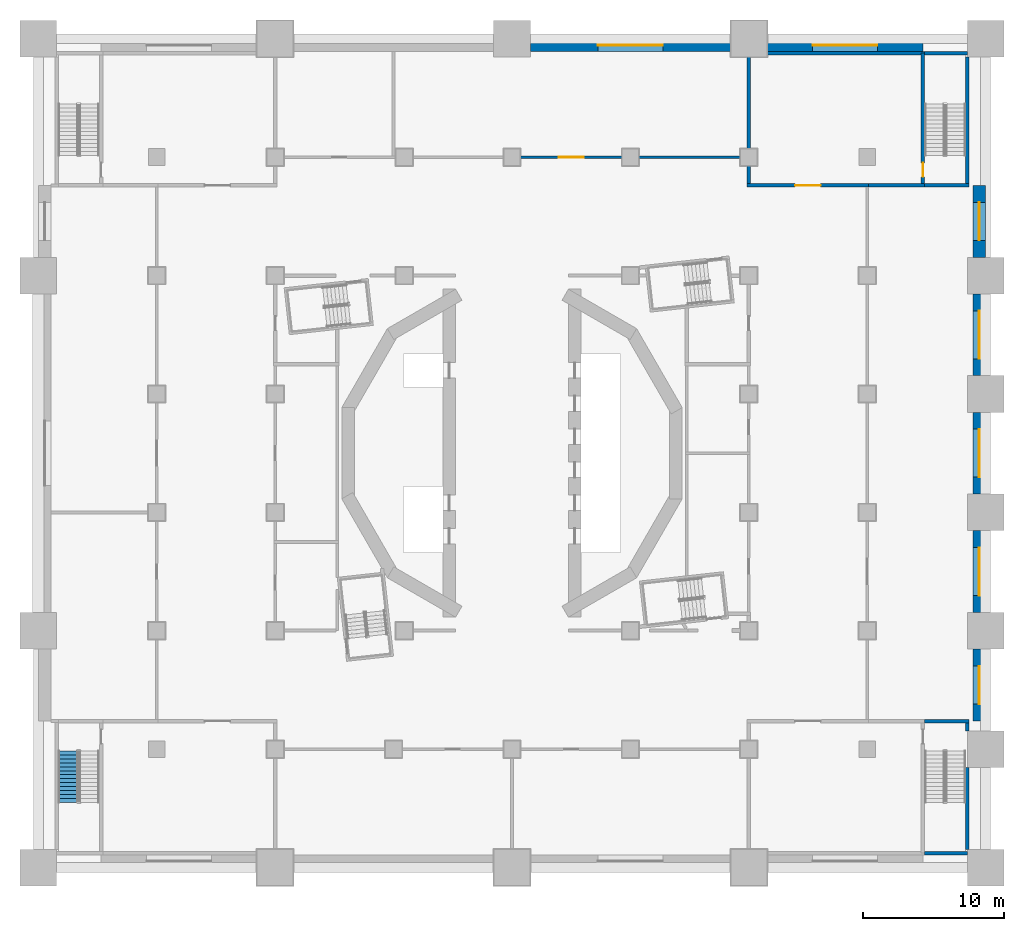
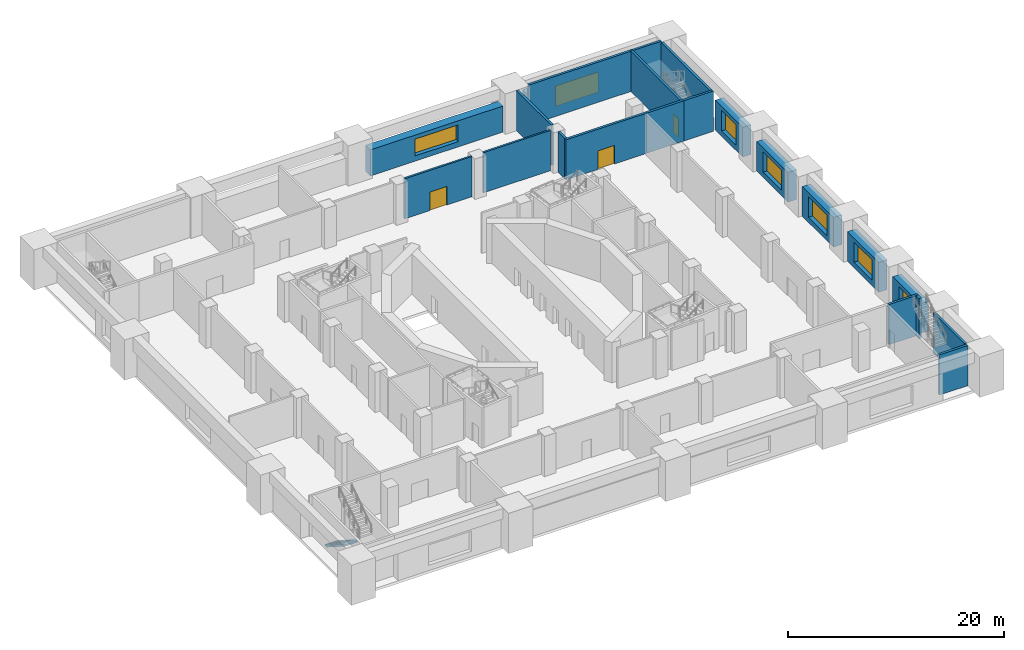
# One storey, part 5 of 17: 22 walls, 7 windows, 3 doors, 1 stair flight, 10 openings, 1 element without a shape of its own.
"""IFC4 building model written with IfcOpenShell, lengths in metres."""

from ifc_helpers import new_model, si_unit, direction, frame, frame_2d, origin, place, context, subcontext, project, spatial, polyline, rectangle, outline, extrude, material, layer, layer_set, type_object, element, fill, aggregate, save


model = new_model("IFC4")

# Units and contexts
model_context = context("Model", 3, precision=1e-05, world=origin(), true_north=direction((0.0, 1.0)))
body_context = subcontext(model_context, "Body", "Model", "MODEL_VIEW")
ifc_project = project(units=[si_unit("LENGTHUNIT", "METRE"), si_unit("AREAUNIT", "SQUARE_METRE"), si_unit("VOLUMEUNIT", "CUBIC_METRE"), si_unit("PLANEANGLEUNIT", "RADIAN"), si_unit("MASSUNIT", "GRAM", prefix="KILO")], contexts=[model_context])

# Site, building, storey
site_placement = place(None, origin())
site = spatial("IfcSite", under=ifc_project, at=site_placement, CompositionType="ELEMENT")
building_placement = place(site_placement, origin())
building = spatial("IfcBuilding", under=site, at=building_placement, Name="Cantera Rosa Tower", CompositionType="ELEMENT")
storey_placement = place(building_placement, frame((0.0, 0.0, 32.0)))
storey = spatial("IfcBuildingStorey", under=building, at=storey_placement, Name="L05", CompositionType="ELEMENT", Elevation=32.0)

# Wall, opening, door
ifc_material_1 = material(Name="Masonry blockwork", Category="masonry")
ifc_layer_1 = layer(ifc_material_1, 0.199951171875)
ifc_layer_set_1 = layer_set([ifc_layer_1], Name="Blockwork partition 200")
wall_type_1 = type_object("IfcWallType", Name="Blockwork partition 200", PredefinedType="PARTITIONING", material=ifc_layer_set_1)
wall_1_placement = place(storey_placement, frame((0.60009765625, 21.0, 0.0), z_axis=(0.0, 0.0, 1.0), x_axis=(1.0, 0.0, 0.0)))
wall_1 = element("IfcWall", 1, at=wall_1_placement, inside=storey, type_object=wall_type_1, Name="Partition L05-79", PredefinedType="PARTITIONING", context=body_context, shape_type="SweptSolid", body=[
    extrude(rectangle(XDim=7.199951171875, YDim=0.199951171875, at=frame_2d((3.60009765625, 0.0))), origin(), (0.0, 0.0, 1.0), 4.550048828125),
])
opening_1_placement = place(wall_1_placement, frame((2.699951171875, 0.0, 0.0)))
opening_1 = element("IfcOpeningElement", 2, at=opening_1_placement, cuts=wall_1, Name="Opening L05-002", PredefinedType="OPENING", context=body_context, shape_type="SweptSolid", body=[
    extrude(rectangle(XDim=1.800048828125, YDim=2.10009765625, at=frame_2d((0.89990234375, 1.050048828125))), frame((0.0, 0.10986328125, 0.0), z_axis=(0.0, -1.0, 0.0), x_axis=(1.0, 0.0, 0.0)), (0.0, 0.0, 1.0), 0.219970703125),
])
ifc_material_2 = material(Name="Timber", Category="wood")
door_type_1 = type_object("IfcDoorType", Name="Double door 1800x2100", OperationType="NOTDEFINED", PredefinedType="DOOR", material=ifc_material_2)
door_1_placement = place(opening_1_placement, origin())
door_1 = element("IfcDoor", 3, at=door_1_placement, inside=storey, type_object=door_type_1, Name="Door L05-002", OperationType="DOUBLE_DOOR_SINGLE_SWING", OverallHeight=2.10009765625, OverallWidth=1.800048828125, PredefinedType="DOOR", context=body_context, shape_type="SweptSolid", body=[
    extrude(rectangle(XDim=1.800048828125, YDim=2.10009765625, at=frame_2d((0.89990234375, 1.050048828125))), frame((0.0, 0.02490234375, 0.0), z_axis=(0.0, -1.0, 0.0), x_axis=(1.0, 0.0, 0.0)), (0.0, 0.0, 1.0), 0.050048828125),
])
fill(opening_1, door_1)

# Walls
wall_2_placement = place(storey_placement, frame((9.0, 21.0, 0.0), z_axis=(0.0, 0.0, 1.0), x_axis=(1.0, 0.0, 0.0)))
element("IfcWall", 4, at=wall_2_placement, inside=storey, type_object=wall_type_1, Name="Partition L05-80", PredefinedType="PARTITIONING", context=body_context, shape_type="SweptSolid", body=[
    extrude(rectangle(XDim=7.199951171875, YDim=0.199951171875, at=frame_2d((3.60009765625, 0.0))), origin(), (0.0, 0.0, 1.0), 4.550048828125),
])
ifc_material_3 = material(Name="Concrete C50/60", Category="concrete")
ifc_layer_2 = layer(ifc_material_3, 0.25)
ifc_layer_set_2 = layer_set([ifc_layer_2], Name="External stair wall 250")
wall_type_2 = type_object("IfcWallType", Name="External stair wall 250", PredefinedType="SOLIDWALL", material=ifc_layer_set_2)
for number, where, z_axis, x_axis, name in (
    (5, (29.27490234375, 28.375, 0.0), (0.0, 0.0, 1.0), (1.0, 0.0, 0.0), "Stair wall L05-51"),
    (6, (32.300048828125, -28.375, 0.0), (0.0, 0.0, 1.0), (-1.0, 0.0, 0.0), "Stair wall L05-75"),
):
    element("IfcWall", number, at=place(storey_placement, frame(where, z_axis=z_axis, x_axis=x_axis)), inside=storey, type_object=wall_type_2, Name=name, PredefinedType="SOLIDWALL", context=body_context, shape_type="SweptSolid", body=[
        extrude(rectangle(XDim=3.025146484375, YDim=0.25, at=frame_2d((1.5126953125, 0.0))), origin(), (0.0, 0.0, 1.0), 4.550048828125),
    ])
ifc_material_4 = material(Name="Masonry blockwork", Category="masonry")
ifc_layer_3 = layer(ifc_material_4, 0.25)
ifc_layer_set_3 = layer_set([ifc_layer_3], Name="Fire-rated external wall 250")
wall_type_3 = type_object("IfcWallType", Name="Fire-rated external wall 250", PredefinedType="PARTITIONING", material=ifc_layer_set_3)
wall_3_placement = place(storey_placement, frame((18.10009765625, 28.375, 0.0), z_axis=(0.0, 0.0, 1.0), x_axis=(1.0, 0.0, 0.0)))
element("IfcWall", 7, at=wall_3_placement, inside=storey, type_object=wall_type_3, Name="Fire wall L05-50", PredefinedType="PARTITIONING", context=body_context, shape_type="SweptSolid", body=[
    extrude(rectangle(XDim=11.1748046875, YDim=0.25, at=frame_2d((5.58740234375, 0.0))), origin(), (0.0, 0.0, 1.0), 4.550048828125),
])
ifc_material_5 = material(Name="Masonry blockwork", Category="masonry")
ifc_layer_4 = layer(ifc_material_5, 0.25)
ifc_layer_set_4 = layer_set([ifc_layer_4], Name="Fire-rated wall 250")
wall_type_4 = type_object("IfcWallType", Name="Fire-rated wall 250", PredefinedType="PARTITIONING", material=ifc_layer_set_4)
wall_4_placement = place(storey_placement, frame((16.800048828125, 19.125, 0.0), z_axis=(0.0, 0.0, 1.0), x_axis=(0.0, 1.0, 0.0)))
element("IfcWall", 8, at=wall_4_placement, inside=storey, type_object=wall_type_4, Name="Fire wall L05-30", PredefinedType="PARTITIONING", context=body_context, shape_type="SweptSolid", body=[
    extrude(rectangle(XDim=1.27490234375, YDim=0.25, at=frame_2d((0.637451171875, 0.0))), origin(), (0.0, 0.0, 1.0), 4.550048828125),
])
wall_5_placement = place(storey_placement, frame((16.800048828125, 21.60009765625, 0.0), z_axis=(0.0, 0.0, 1.0), x_axis=(0.0, 1.0, 0.0)))
element("IfcWall", 9, at=wall_5_placement, inside=storey, type_object=wall_type_4, Name="Fire wall L05-31", PredefinedType="PARTITIONING", context=body_context, shape_type="SweptSolid", body=[
    extrude(rectangle(XDim=6.5, YDim=0.25, at=frame_2d((3.25, 0.0))), origin(), (0.0, 0.0, 1.0), 4.550048828125),
])

# Wall, opening, door
wall_6_placement = place(storey_placement, frame((16.675048828125, 19.0, 0.0), z_axis=(0.0, 0.0, 1.0), x_axis=(1.0, 0.0, 0.0)))
wall_6 = element("IfcWall", 10, at=wall_6_placement, inside=storey, type_object=wall_type_4, Name="Fire wall L05-58", PredefinedType="PARTITIONING", context=body_context, shape_type="SweptSolid", body=[
    extrude(rectangle(XDim=8.625, YDim=0.25, at=frame_2d((4.3125, 0.0))), origin(), (0.0, 0.0, 1.0), 4.550048828125),
])
opening_2_placement = place(wall_6_placement, frame((3.41259765625, 0.0, 0.0)))
opening_2 = element("IfcOpeningElement", 11, at=opening_2_placement, cuts=wall_6, Name="Opening L05-014", PredefinedType="OPENING", context=body_context, shape_type="SweptSolid", body=[
    extrude(rectangle(XDim=1.800048828125, YDim=2.10009765625, at=frame_2d((0.89990234375, 1.050048828125))), frame((0.0, 0.135009765625, 0.0), z_axis=(0.0, -1.0, 0.0), x_axis=(1.0, 0.0, 0.0)), (0.0, 0.0, 1.0), 0.27001953125),
])
ifc_material_6 = material(Name="Steel S355J2 (EN 10025-2)", Category="steel")
door_type_2 = type_object("IfcDoorType", Name="Fire double door 1800x2100", OperationType="NOTDEFINED", PredefinedType="DOOR", material=ifc_material_6)
door_2_placement = place(opening_2_placement, origin())
door_2 = element("IfcDoor", 12, at=door_2_placement, inside=storey, type_object=door_type_2, Name="Door L05-014", OperationType="DOUBLE_DOOR_SINGLE_SWING", OverallHeight=2.10009765625, OverallWidth=1.800048828125, PredefinedType="DOOR", context=body_context, shape_type="SweptSolid", body=[
    extrude(rectangle(XDim=1.800048828125, YDim=2.10009765625, at=frame_2d((0.89990234375, 1.050048828125))), frame((0.0, 0.02490234375, 0.0), z_axis=(0.0, -1.0, 0.0), x_axis=(1.0, 0.0, 0.0)), (0.0, 0.0, 1.0), 0.050048828125),
])
fill(opening_2, door_2)

# Walls
wall_7_placement = place(storey_placement, frame((25.300048828125, 19.0, 0.0), z_axis=(0.0, 0.0, 1.0), x_axis=(1.0, 0.0, 0.0)))
element("IfcWall", 13, at=wall_7_placement, inside=storey, type_object=wall_type_4, Name="Fire wall L05-59", PredefinedType="PARTITIONING", context=body_context, shape_type="SweptSolid", body=[
    extrude(rectangle(XDim=3.974853515625, YDim=0.25, at=frame_2d((1.9873046875, 0.0))), origin(), (0.0, 0.0, 1.0), 4.550048828125),
])
ifc_material_7 = material(Name="Concrete C50/60", Category="concrete")
ifc_layer_5 = layer(ifc_material_7, 0.25)
ifc_layer_set_5 = layer_set([ifc_layer_5], Name="RC stair wall 250 C50/60")
wall_type_5 = type_object("IfcWallType", Name="RC stair wall 250", PredefinedType="SOLIDWALL", material=ifc_layer_set_5)
wall_8_placement = place(storey_placement, frame((32.300048828125, -28.10009765625, 0.0), z_axis=(0.0, 0.0, 1.0), x_axis=(0.0, 1.0, 0.0)))
element("IfcWall", 14, at=wall_8_placement, inside=storey, type_object=wall_type_5, Name="Stair wall L05-45", PredefinedType="SOLIDWALL", context=body_context, shape_type="SweptSolid", body=[
    extrude(rectangle(XDim=5.800048828125, YDim=0.25, at=frame_2d((2.89990234375, 0.0))), origin(), (0.0, 0.0, 1.0), 4.550048828125),
])
wall_9_placement = place(storey_placement, frame((32.300048828125, -19.699951171875, 0.0), z_axis=(0.0, 0.0, 1.0), x_axis=(0.0, 1.0, 0.0)))
element("IfcWall", 15, at=wall_9_placement, inside=storey, type_object=wall_type_5, Name="Stair wall L05-46", PredefinedType="SOLIDWALL", context=body_context, shape_type="SweptSolid", body=[
    extrude(rectangle(XDim=0.574951171875, YDim=0.25, at=frame_2d((0.28759765625, 0.0))), origin(), (0.0, 0.0, 1.0), 4.550048828125),
])
wall_10_placement = place(storey_placement, frame((32.300048828125, 19.125, 0.0), z_axis=(0.0, 0.0, 1.0), x_axis=(0.0, 1.0, 0.0)))
element("IfcWall", 16, at=wall_10_placement, inside=storey, type_object=wall_type_5, Name="Stair wall L05-47", PredefinedType="SOLIDWALL", context=body_context, shape_type="SweptSolid", body=[
    extrude(rectangle(XDim=8.97509765625, YDim=0.25, at=frame_2d((4.487548828125, 0.0))), origin(), (0.0, 0.0, 1.0), 4.550048828125),
])

# Wall, opening, door
wall_11_placement = place(storey_placement, frame((29.14990234375, 19.125, 0.0), z_axis=(0.0, 0.0, 1.0), x_axis=(0.0, 1.0, 0.0)))
wall_11 = element("IfcWall", 17, at=wall_11_placement, inside=storey, type_object=wall_type_5, Name="Stair wall L05-53", PredefinedType="SOLIDWALL", context=body_context, shape_type="SweptSolid", body=[
    extrude(rectangle(XDim=9.25, YDim=0.25, at=frame_2d((4.625, 0.0))), origin(), (0.0, 0.0, 1.0), 4.550048828125),
])
opening_3_placement = place(wall_11_placement, frame((0.47509765625, 0.0, 0.0)))
opening_3 = element("IfcOpeningElement", 18, at=opening_3_placement, cuts=wall_11, Name="Opening L05-015", PredefinedType="OPENING", context=body_context, shape_type="SweptSolid", body=[
    extrude(rectangle(XDim=1.0, YDim=2.10009765625, at=frame_2d((0.5, 1.050048828125))), frame((0.0, 0.135009765625, 0.0), z_axis=(0.0, -1.0, 0.0), x_axis=(1.0, 0.0, 0.0)), (0.0, 0.0, 1.0), 0.27001953125),
])
ifc_material_8 = material(Name="Steel S355J2 (EN 10025-2)", Category="steel")
door_type_3 = type_object("IfcDoorType", Name="Fire door 1000x2100 EI 120", OperationType="NOTDEFINED", PredefinedType="DOOR", material=ifc_material_8)
door_3_placement = place(opening_3_placement, origin())
door_3 = element("IfcDoor", 19, at=door_3_placement, inside=storey, type_object=door_type_3, Name="Door L05-015", OverallHeight=2.10009765625, OverallWidth=1.0, PredefinedType="DOOR", context=body_context, shape_type="SweptSolid", body=[
    extrude(rectangle(XDim=1.0, YDim=2.10009765625, at=frame_2d((0.5, 1.050048828125))), frame((0.0, 0.02490234375, 0.0), z_axis=(0.0, -1.0, 0.0), x_axis=(1.0, 0.0, 0.0)), (0.0, 0.0, 1.0), 0.050048828125),
])
fill(opening_3, door_3)

# Walls
for number, where, z_axis, x_axis, name in (
    (20, (29.27490234375, 19.0, 0.0), (0.0, 0.0, 1.0), (1.0, 0.0, 0.0), "Stair wall L05-60"),
    (21, (29.27490234375, -19.0, 0.0), (0.0, 0.0, 1.0), (1.0, 0.0, 0.0), "Stair wall L05-71"),
):
    element("IfcWall", number, at=place(storey_placement, frame(where, z_axis=z_axis, x_axis=x_axis)), inside=storey, type_object=wall_type_5, Name=name, PredefinedType="SOLIDWALL", context=body_context, shape_type="SweptSolid", body=[
        extrude(rectangle(XDim=3.150146484375, YDim=0.25, at=frame_2d((1.5751953125, 0.0))), origin(), (0.0, 0.0, 1.0), 4.550048828125),
    ])

# Wall, opening, window
ifc_material_9 = material(Name="Concrete C40/50 with limestone facing", Category="masonry")
ifc_layer_6 = layer(ifc_material_9, 0.89990234375)
ifc_layer_set_6 = layer_set([ifc_layer_6], Name="Stone podium wall 900")
wall_type_6 = type_object("IfcWallType", Name="Stone podium wall 900", PredefinedType="SOLIDWALL", material=ifc_layer_set_6)
wall_12_placement = place(storey_placement, frame((18.10009765625, 28.949951171875, 0.0), z_axis=(0.0, 0.0, 1.0), x_axis=(1.0, 0.0, 0.0)))
wall_12 = element("IfcWall", 22, at=wall_12_placement, inside=storey, type_object=wall_type_6, Name="Stone wall N L05-4", PredefinedType="SOLIDWALL", context=body_context, shape_type="SweptSolid", body=[
    extrude(rectangle(XDim=11.0498046875, YDim=0.89990234375, at=frame_2d((5.52490234375, 0.0))), origin(), (0.0, 0.0, 1.0), 3.35009765625),
])
opening_4_placement = place(wall_12_placement, frame((3.22509765625, 0.0, 0.60009765625)))
opening_4 = element("IfcOpeningElement", 23, at=opening_4_placement, cuts=wall_12, Name="Opening L05-PWN4", PredefinedType="OPENING", context=body_context, shape_type="SweptSolid", body=[
    extrude(rectangle(XDim=4.60009765625, YDim=2.300048828125, at=frame_2d((2.300048828125, 1.14990234375))), frame((0.0, 0.4599609375, 0.0), z_axis=(0.0, -1.0, 0.0), x_axis=(1.0, 0.0, 0.0)), (0.0, 0.0, 1.0), 0.919921875),
])
ifc_material_10 = material(Name="Glass", Category="glass")
window_type_1 = type_object("IfcWindowType", Name="Podium window 4600x2300", PartitioningType="SINGLE_PANEL", PredefinedType="WINDOW", material=ifc_material_10)
window_1_placement = place(opening_4_placement, origin())
window_1 = element("IfcWindow", 24, at=window_1_placement, inside=storey, type_object=window_type_1, Name="Podium window L05-N4", OverallHeight=2.300048828125, OverallWidth=4.60009765625, PartitioningType="SINGLE_PANEL", PredefinedType="WINDOW", context=body_context, shape_type="SweptSolid", body=[
    extrude(rectangle(XDim=4.60009765625, YDim=2.300048828125, at=frame_2d((2.300048828125, 1.14990234375))), frame((0.0, 0.030029296875, 0.0), z_axis=(0.0, -1.0, 0.0), x_axis=(1.0, 0.0, 0.0)), (0.0, 0.0, 1.0), 0.06005859375),
])
fill(opening_4, window_1)

wall_13_placement = place(storey_placement, frame((33.14990234375, -19.0, 0.0), z_axis=(0.0, 0.0, 1.0), x_axis=(0.0, 1.0, 0.0)))
wall_13 = element("IfcWall", 25, at=wall_13_placement, inside=storey, type_object=wall_type_6, Name="Stone wall E L05-1", PredefinedType="SOLIDWALL", context=body_context, shape_type="SweptSolid", body=[
    extrude(rectangle(XDim=5.10009765625, YDim=0.89990234375, at=frame_2d((2.550048828125, 0.0))), origin(), (0.0, 0.0, 1.0), 3.35009765625),
])
opening_5_placement = place(wall_13_placement, frame((1.199951171875, 0.0, 0.60009765625)))
opening_5 = element("IfcOpeningElement", 26, at=opening_5_placement, cuts=wall_13, Name="Opening L05-PWE1", PredefinedType="OPENING", context=body_context, shape_type="SweptSolid", body=[
    extrude(rectangle(XDim=2.699951171875, YDim=2.300048828125, at=frame_2d((1.35009765625, 1.14990234375))), frame((0.0, 0.4599609375, 0.0), z_axis=(0.0, -1.0, 0.0), x_axis=(1.0, 0.0, 0.0)), (0.0, 0.0, 1.0), 0.919921875),
])
ifc_material_11 = material(Name="Glass", Category="glass")
window_type_2 = type_object("IfcWindowType", Name="Podium window 2700x2300", PartitioningType="SINGLE_PANEL", PredefinedType="WINDOW", material=ifc_material_11)
window_2_placement = place(opening_5_placement, origin())
window_2 = element("IfcWindow", 27, at=window_2_placement, inside=storey, type_object=window_type_2, Name="Podium window L05-E1", OverallHeight=2.300048828125, OverallWidth=2.699951171875, PartitioningType="SINGLE_PANEL", PredefinedType="WINDOW", context=body_context, shape_type="SweptSolid", body=[
    extrude(rectangle(XDim=2.699951171875, YDim=2.300048828125, at=frame_2d((1.35009765625, 1.14990234375))), frame((0.0, 0.030029296875, 0.0), z_axis=(0.0, -1.0, 0.0), x_axis=(1.0, 0.0, 0.0)), (0.0, 0.0, 1.0), 0.06005859375),
])
fill(opening_5, window_2)

wall_14_placement = place(storey_placement, frame((33.14990234375, -11.300048828125, 0.0), z_axis=(0.0, 0.0, 1.0), x_axis=(0.0, 1.0, 0.0)))
wall_14 = element("IfcWall", 28, at=wall_14_placement, inside=storey, type_object=wall_type_6, Name="Stone wall E L05-2", PredefinedType="SOLIDWALL", context=body_context, shape_type="SweptSolid", body=[
    extrude(rectangle(XDim=5.800048828125, YDim=0.89990234375, at=frame_2d((2.89990234375, 0.0))), origin(), (0.0, 0.0, 1.0), 3.35009765625),
])
opening_6_placement = place(wall_14_placement, frame((1.199951171875, 0.0, 0.60009765625)))
opening_6 = element("IfcOpeningElement", 29, at=opening_6_placement, cuts=wall_14, Name="Opening L05-PWE2", PredefinedType="OPENING", context=body_context, shape_type="SweptSolid", body=[
    extrude(rectangle(XDim=3.39990234375, YDim=2.300048828125, at=frame_2d((1.699951171875, 1.14990234375))), frame((0.0, 0.4599609375, 0.0), z_axis=(0.0, -1.0, 0.0), x_axis=(1.0, 0.0, 0.0)), (0.0, 0.0, 1.0), 0.919921875),
])
ifc_material_12 = material(Name="Glass", Category="glass")
window_type_3 = type_object("IfcWindowType", Name="Podium window 3400x2300", PartitioningType="SINGLE_PANEL", PredefinedType="WINDOW", material=ifc_material_12)
window_3_placement = place(opening_6_placement, origin())
window_3 = element("IfcWindow", 30, at=window_3_placement, inside=storey, type_object=window_type_3, Name="Podium window L05-E2", OverallHeight=2.300048828125, OverallWidth=3.39990234375, PartitioningType="SINGLE_PANEL", PredefinedType="WINDOW", context=body_context, shape_type="SweptSolid", body=[
    extrude(rectangle(XDim=3.39990234375, YDim=2.300048828125, at=frame_2d((1.699951171875, 1.14990234375))), frame((0.0, 0.030029296875, 0.0), z_axis=(0.0, -1.0, 0.0), x_axis=(1.0, 0.0, 0.0)), (0.0, 0.0, 1.0), 0.06005859375),
])
fill(opening_6, window_3)

wall_15_placement = place(storey_placement, frame((33.14990234375, -2.89990234375, 0.0), z_axis=(0.0, 0.0, 1.0), x_axis=(0.0, 1.0, 0.0)))
wall_15 = element("IfcWall", 31, at=wall_15_placement, inside=storey, type_object=wall_type_6, Name="Stone wall E L05-3", PredefinedType="SOLIDWALL", context=body_context, shape_type="SweptSolid", body=[
    extrude(rectangle(XDim=5.7998046875, YDim=0.89990234375, at=frame_2d((2.89990234375, 0.0))), origin(), (0.0, 0.0, 1.0), 3.35009765625),
])
opening_7_placement = place(wall_15_placement, frame((1.199951171875, 0.0, 0.60009765625)))
opening_7 = element("IfcOpeningElement", 32, at=opening_7_placement, cuts=wall_15, Name="Opening L05-PWE3", PredefinedType="OPENING", context=body_context, shape_type="SweptSolid", body=[
    extrude(rectangle(XDim=3.39990234375, YDim=2.300048828125, at=frame_2d((1.699951171875, 1.14990234375))), frame((0.0, 0.4599609375, 0.0), z_axis=(0.0, -1.0, 0.0), x_axis=(1.0, 0.0, 0.0)), (0.0, 0.0, 1.0), 0.919921875),
])
window_4_placement = place(opening_7_placement, origin())
window_4 = element("IfcWindow", 33, at=window_4_placement, inside=storey, type_object=window_type_3, Name="Podium window L05-E3", OverallHeight=2.300048828125, OverallWidth=3.39990234375, PartitioningType="SINGLE_PANEL", PredefinedType="WINDOW", context=body_context, shape_type="SweptSolid", body=[
    extrude(rectangle(XDim=3.39990234375, YDim=2.300048828125, at=frame_2d((1.699951171875, 1.14990234375))), frame((0.0, 0.030029296875, 0.0), z_axis=(0.0, -1.0, 0.0), x_axis=(1.0, 0.0, 0.0)), (0.0, 0.0, 1.0), 0.06005859375),
])
fill(opening_7, window_4)

wall_16_placement = place(storey_placement, frame((33.14990234375, 5.5, 0.0), z_axis=(0.0, 0.0, 1.0), x_axis=(0.0, 1.0, 0.0)))
wall_16 = element("IfcWall", 34, at=wall_16_placement, inside=storey, type_object=wall_type_6, Name="Stone wall E L05-4", PredefinedType="SOLIDWALL", context=body_context, shape_type="SweptSolid", body=[
    extrude(rectangle(XDim=5.800048828125, YDim=0.89990234375, at=frame_2d((2.89990234375, 0.0))), origin(), (0.0, 0.0, 1.0), 3.35009765625),
])
opening_8_placement = place(wall_16_placement, frame((1.199951171875, 0.0, 0.60009765625)))
opening_8 = element("IfcOpeningElement", 35, at=opening_8_placement, cuts=wall_16, Name="Opening L05-PWE4", PredefinedType="OPENING", context=body_context, shape_type="SweptSolid", body=[
    extrude(rectangle(XDim=3.39990234375, YDim=2.300048828125, at=frame_2d((1.699951171875, 1.14990234375))), frame((0.0, 0.4599609375, 0.0), z_axis=(0.0, -1.0, 0.0), x_axis=(1.0, 0.0, 0.0)), (0.0, 0.0, 1.0), 0.919921875),
])
window_5_placement = place(opening_8_placement, origin())
window_5 = element("IfcWindow", 36, at=window_5_placement, inside=storey, type_object=window_type_3, Name="Podium window L05-E4", OverallHeight=2.300048828125, OverallWidth=3.39990234375, PartitioningType="SINGLE_PANEL", PredefinedType="WINDOW", context=body_context, shape_type="SweptSolid", body=[
    extrude(rectangle(XDim=3.39990234375, YDim=2.300048828125, at=frame_2d((1.699951171875, 1.14990234375))), frame((0.0, 0.030029296875, 0.0), z_axis=(0.0, -1.0, 0.0), x_axis=(1.0, 0.0, 0.0)), (0.0, 0.0, 1.0), 0.06005859375),
])
fill(opening_8, window_5)

wall_17_placement = place(storey_placement, frame((33.14990234375, 13.89990234375, 0.0), z_axis=(0.0, 0.0, 1.0), x_axis=(0.0, 1.0, 0.0)))
wall_17 = element("IfcWall", 37, at=wall_17_placement, inside=storey, type_object=wall_type_6, Name="Stone wall E L05-5", PredefinedType="SOLIDWALL", context=body_context, shape_type="SweptSolid", body=[
    extrude(rectangle(XDim=5.10009765625, YDim=0.89990234375, at=frame_2d((2.550048828125, 0.0))), origin(), (0.0, 0.0, 1.0), 3.35009765625),
])
opening_9_placement = place(wall_17_placement, frame((1.199951171875, 0.0, 0.60009765625)))
opening_9 = element("IfcOpeningElement", 38, at=opening_9_placement, cuts=wall_17, Name="Opening L05-PWE5", PredefinedType="OPENING", context=body_context, shape_type="SweptSolid", body=[
    extrude(rectangle(XDim=2.699951171875, YDim=2.300048828125, at=frame_2d((1.35009765625, 1.14990234375))), frame((0.0, 0.4599609375, 0.0), z_axis=(0.0, -1.0, 0.0), x_axis=(1.0, 0.0, 0.0)), (0.0, 0.0, 1.0), 0.919921875),
])
window_6_placement = place(opening_9_placement, origin())
window_6 = element("IfcWindow", 39, at=window_6_placement, inside=storey, type_object=window_type_2, Name="Podium window L05-E5", OverallHeight=2.300048828125, OverallWidth=2.699951171875, PartitioningType="SINGLE_PANEL", PredefinedType="WINDOW", context=body_context, shape_type="SweptSolid", body=[
    extrude(rectangle(XDim=2.699951171875, YDim=2.300048828125, at=frame_2d((1.35009765625, 1.14990234375))), frame((0.0, 0.030029296875, 0.0), z_axis=(0.0, -1.0, 0.0), x_axis=(1.0, 0.0, 0.0)), (0.0, 0.0, 1.0), 0.06005859375),
])
fill(opening_9, window_6)

ifc_material_13 = material(Name="Concrete C40/50 with limestone facing", Category="masonry")
ifc_layer_7 = layer(ifc_material_13, 0.89990234375)
ifc_layer_set_7 = layer_set([ifc_layer_7], Name="Stone podium wall 900 under deep girder")
wall_type_7 = type_object("IfcWallType", Name="Stone podium wall 900 under deep girder", PredefinedType="SOLIDWALL", material=ifc_layer_set_7)
wall_18_placement = place(storey_placement, frame((1.300048828125, 28.949951171875, 0.0), z_axis=(0.0, 0.0, 1.0), x_axis=(1.0, 0.0, 0.0)))
wall_18 = element("IfcWall", 40, at=wall_18_placement, inside=storey, type_object=wall_type_7, Name="Stone wall N L05-3", PredefinedType="SOLIDWALL", context=body_context, shape_type="SweptSolid", body=[
    extrude(rectangle(XDim=14.199951171875, YDim=0.89990234375, at=frame_2d((7.10009765625, 0.0))), origin(), (0.0, 0.0, 1.0), 2.949951171875),
])
opening_10_placement = place(wall_18_placement, frame((4.800048828125, 0.0, 0.60009765625)))
opening_10 = element("IfcOpeningElement", 41, at=opening_10_placement, cuts=wall_18, Name="Opening L05-PWN3", PredefinedType="OPENING", context=body_context, shape_type="SweptSolid", body=[
    extrude(rectangle(XDim=4.60009765625, YDim=1.89990234375, at=frame_2d((2.300048828125, 0.949951171875))), frame((0.0, 0.4599609375, 0.0), z_axis=(0.0, -1.0, 0.0), x_axis=(1.0, 0.0, 0.0)), (0.0, 0.0, 1.0), 0.919921875),
])
ifc_material_14 = material(Name="Glass", Category="glass")
window_type_4 = type_object("IfcWindowType", Name="Podium window 4600x1900", PartitioningType="SINGLE_PANEL", PredefinedType="WINDOW", material=ifc_material_14)
window_7_placement = place(opening_10_placement, origin())
window_7 = element("IfcWindow", 42, at=window_7_placement, inside=storey, type_object=window_type_4, Name="Podium window L05-N3", OverallHeight=1.89990234375, OverallWidth=4.60009765625, PartitioningType="SINGLE_PANEL", PredefinedType="WINDOW", context=body_context, shape_type="SweptSolid", body=[
    extrude(rectangle(XDim=4.60009765625, YDim=1.89990234375, at=frame_2d((2.300048828125, 0.949951171875))), frame((0.0, 0.030029296875, 0.0), z_axis=(0.0, -1.0, 0.0), x_axis=(1.0, 0.0, 0.0)), (0.0, 0.0, 1.0), 0.06005859375),
])
fill(opening_10, window_7)

# Stair, stair flight
ifc_material_15 = material(Name="Concrete C35/45", Category="concrete")
stair_type = type_object("IfcStairType", Name="Stair half-turn 1350", PredefinedType="HALF_TURN_STAIR", material=ifc_material_15)
stair_placement = place(storey_placement, origin())
stair = element("IfcStair", 43, at=stair_placement, inside=storey, type_object=stair_type, Name="L05 ST-SW", PredefinedType="HALF_TURN_STAIR")
ifc_material_16 = material(Name="Concrete C35/45", Category="concrete")
stair_flight_type = type_object("IfcStairFlightType", Name="Stair flight 1350", PredefinedType="STRAIGHT", material=ifc_material_16)
stair_flight_placement = place(storey_placement, frame((-31.5, -21.125, 0.0), z_axis=(0.0, 0.0, 1.0), x_axis=(0.0, -1.0, 0.0)))
stair_flight = element("IfcStairFlight", 44, at=stair_flight_placement, type_object=stair_flight_type, Name="ST-SW flight 1", NumberOfRisers=14, NumberOfTreads=13, PredefinedType="STRAIGHT", RiserHeight=0.178571429, TreadLength=0.28, context=body_context, shape_type="SweptSolid", body=[
    extrude(outline(polyline([(0.0, 0.0), (0.0, 0.178466796875), (0.280029296875, 0.178466796875), (0.280029296875, 0.357177734375), (0.56005859375, 0.357177734375), (0.56005859375, 0.53564453125), (0.840087890625, 0.53564453125), (0.840087890625, 0.71435546875), (1.1201171875, 0.71435546875), (1.1201171875, 0.892822265625), (1.39990234375, 0.892822265625), (1.39990234375, 1.071533203125), (1.679931640625, 1.071533203125), (1.679931640625, 1.25), (1.9599609375, 1.25), (1.9599609375, 1.428466796875), (2.239990234375, 1.428466796875), (2.239990234375, 1.607177734375), (2.52001953125, 1.607177734375), (2.52001953125, 1.78564453125), (2.800048828125, 1.78564453125), (2.800048828125, 1.96435546875), (3.080078125, 1.96435546875), (3.080078125, 2.142822265625), (3.360107421875, 2.142822265625), (3.360107421875, 2.321533203125), (3.639892578125, 2.321533203125), (3.639892578125, 2.5), (3.639892578125, 2.1435546875), (0.27880859375, 0.0), (0.0, 0.0)])), frame((0.0, 0.675048828125, 0.0), z_axis=(0.0, -1.0, 0.0), x_axis=(1.0, 0.0, 0.0)), (0.0, 0.0, 1.0), 0.3359375),
    extrude(outline(polyline([(0.0, 0.0), (0.0, 0.178466796875), (0.280029296875, 0.178466796875), (0.280029296875, 0.357177734375), (0.56005859375, 0.357177734375), (0.56005859375, 0.53564453125), (0.840087890625, 0.53564453125), (0.840087890625, 0.71435546875), (1.1201171875, 0.71435546875), (1.1201171875, 0.892822265625), (1.39990234375, 0.892822265625), (1.39990234375, 1.071533203125), (1.679931640625, 1.071533203125), (1.679931640625, 1.25), (1.9599609375, 1.25), (1.9599609375, 1.428466796875), (2.239990234375, 1.428466796875), (2.239990234375, 1.607177734375), (2.52001953125, 1.607177734375), (2.52001953125, 1.78564453125), (2.800048828125, 1.78564453125), (2.800048828125, 1.96435546875), (3.080078125, 1.96435546875), (3.080078125, 2.142822265625), (3.360107421875, 2.142822265625), (3.360107421875, 2.321533203125), (3.639892578125, 2.321533203125), (3.639892578125, 2.5), (3.639892578125, 2.1435546875), (0.27880859375, 0.0), (0.0, 0.0)])), frame((0.0, 0.337158203125, 0.0), z_axis=(0.0, -1.0, 0.0), x_axis=(1.0, 0.0, 0.0)), (0.0, 0.0, 1.0), 0.3359375),
    extrude(outline(polyline([(0.0, 0.0), (0.0, 0.178466796875), (0.280029296875, 0.178466796875), (0.280029296875, 0.357177734375), (0.56005859375, 0.357177734375), (0.56005859375, 0.53564453125), (0.840087890625, 0.53564453125), (0.840087890625, 0.71435546875), (1.1201171875, 0.71435546875), (1.1201171875, 0.892822265625), (1.39990234375, 0.892822265625), (1.39990234375, 1.071533203125), (1.679931640625, 1.071533203125), (1.679931640625, 1.25), (1.9599609375, 1.25), (1.9599609375, 1.428466796875), (2.239990234375, 1.428466796875), (2.239990234375, 1.607177734375), (2.52001953125, 1.607177734375), (2.52001953125, 1.78564453125), (2.800048828125, 1.78564453125), (2.800048828125, 1.96435546875), (3.080078125, 1.96435546875), (3.080078125, 2.142822265625), (3.360107421875, 2.142822265625), (3.360107421875, 2.321533203125), (3.639892578125, 2.321533203125), (3.639892578125, 2.5), (3.639892578125, 2.1435546875), (0.27880859375, 0.0), (0.0, 0.0)])), frame((0.0, -0.000732421875, 0.0), z_axis=(0.0, -1.0, 0.0), x_axis=(1.0, 0.0, 0.0)), (0.0, 0.0, 1.0), 0.3359375),
    extrude(outline(polyline([(0.0, 0.0), (0.0, 0.178466796875), (0.280029296875, 0.178466796875), (0.280029296875, 0.357177734375), (0.56005859375, 0.357177734375), (0.56005859375, 0.53564453125), (0.840087890625, 0.53564453125), (0.840087890625, 0.71435546875), (1.1201171875, 0.71435546875), (1.1201171875, 0.892822265625), (1.39990234375, 0.892822265625), (1.39990234375, 1.071533203125), (1.679931640625, 1.071533203125), (1.679931640625, 1.25), (1.9599609375, 1.25), (1.9599609375, 1.428466796875), (2.239990234375, 1.428466796875), (2.239990234375, 1.607177734375), (2.52001953125, 1.607177734375), (2.52001953125, 1.78564453125), (2.800048828125, 1.78564453125), (2.800048828125, 1.96435546875), (3.080078125, 1.96435546875), (3.080078125, 2.142822265625), (3.360107421875, 2.142822265625), (3.360107421875, 2.321533203125), (3.639892578125, 2.321533203125), (3.639892578125, 2.5), (3.639892578125, 2.1435546875), (0.27880859375, 0.0), (0.0, 0.0)])), frame((0.0, -0.338623046875, 0.0), z_axis=(0.0, -1.0, 0.0), x_axis=(1.0, 0.0, 0.0)), (0.0, 0.0, 1.0), 0.3359375),
])
aggregate(stair, [stair_flight])

save(model, "model.ifc")
